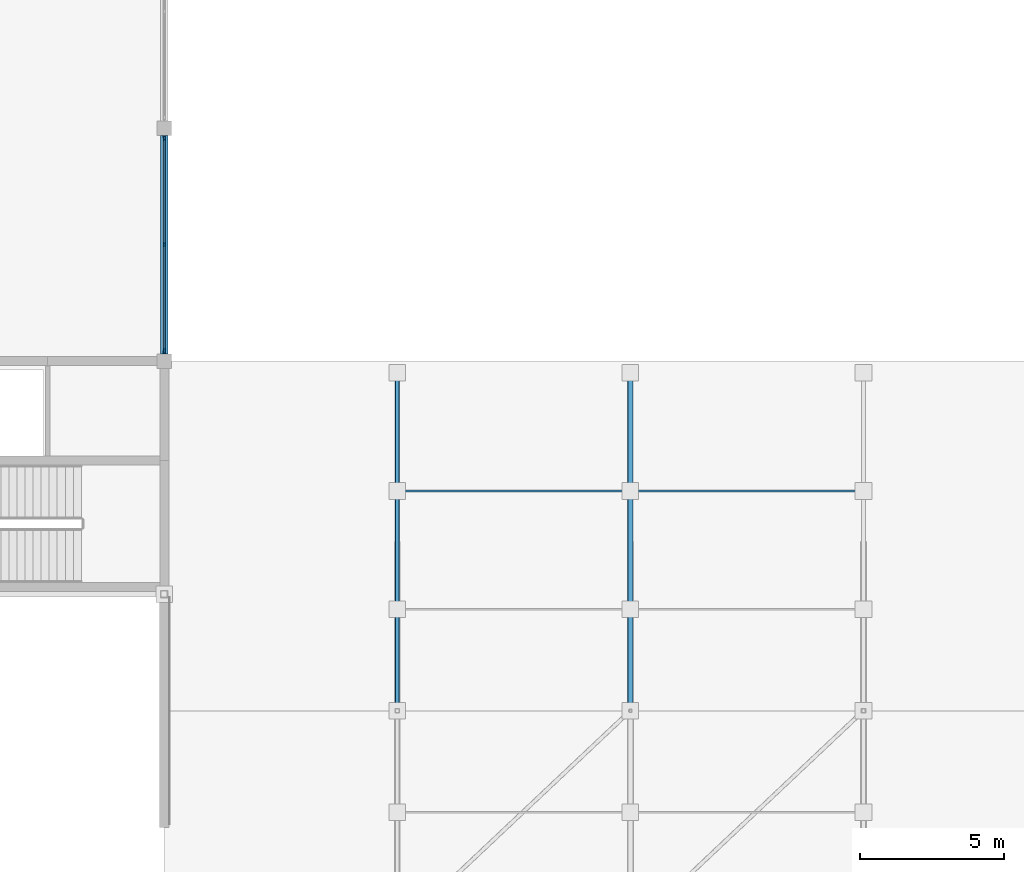
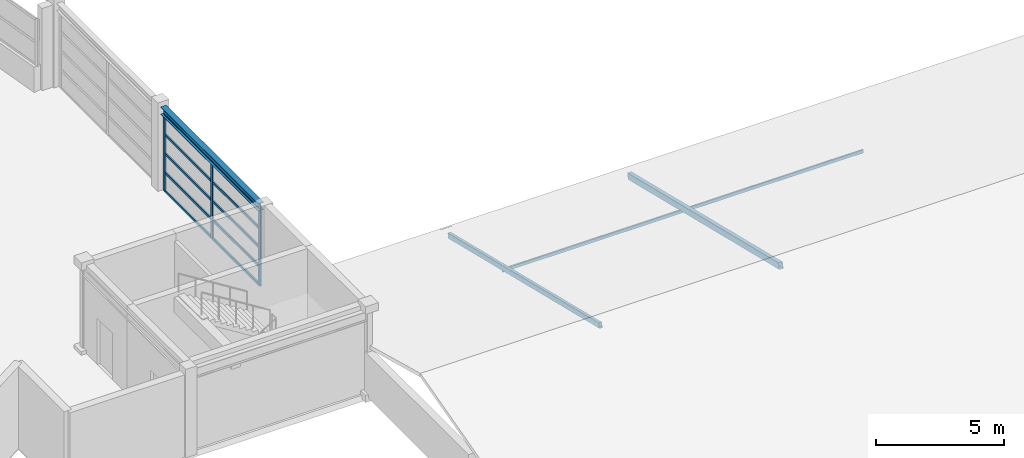
# One storey, part 18 of 54: 17 members, 1 beam, 1 element without a shape of its own.
"""IFC4 building model written with IfcOpenShell, lengths in metres."""

from ifc_helpers import new_model, si_unit, direction, frame, origin, origin_2d, place, context, subcontext, project, spatial, rectangle, hollow_rectangle, i_section, extrude, material, material_profile, profile_set, type_object, element, aggregate, save


model = new_model("IFC4")

# Units and contexts
model_context = context("Model", 3, precision=1e-05, world=origin(), true_north=direction((0.0, 1.0)))
body_context = subcontext(model_context, "Body", "Model", "MODEL_VIEW")
ifc_project = project(units=[si_unit("LENGTHUNIT", "METRE"), si_unit("AREAUNIT", "SQUARE_METRE"), si_unit("VOLUMEUNIT", "CUBIC_METRE"), si_unit("PLANEANGLEUNIT", "RADIAN"), si_unit("MASSUNIT", "GRAM", prefix="KILO")], contexts=[model_context])

# Site, building, storey
site_placement = place(None, origin())
site = spatial("IfcSite", under=ifc_project, at=site_placement, CompositionType="ELEMENT")
building_placement = place(site_placement, origin())
building = spatial("IfcBuilding", under=site, at=building_placement, Name="Parian Resonance Hall", CompositionType="ELEMENT")
storey_placement = place(building_placement, frame((0.0, 0.0, 15.0)))
storey = spatial("IfcBuildingStorey", under=building, at=storey_placement, Name="L03", CompositionType="ELEMENT", Elevation=15.0)

# Beam
ifc_material_1 = material(Name="Steel S355", Category="steel")
ifc_material_profile_1 = material_profile(ifc_material_1, i_section(OverallWidth=0.2548828125, OverallDepth=0.35693359375, WebThickness=0.010498046875, FlangeThickness=0.018310546875, FilletRadius=0.01513671875, at=origin_2d()), Name="W360x101")
ifc_profile_set_1 = profile_set([ifc_material_profile_1], Name="Steel S355")
beam_type = type_object("IfcBeamType", Name="BM-W360x101", PredefinedType="SPANDREL", material=ifc_profile_set_1)
beam_placement = place(storey_placement, frame((72.89990234375, 24.550048828125, 3.801513671875), z_axis=(0.0, 1.0, 0.0), x_axis=(-1.0, 0.0, 0.0)))
element("IfcBeam", 1, at=beam_placement, inside=storey, type_object=beam_type, Name="GY-L03-0877", PredefinedType="SPANDREL", context=body_context, shape_type="SweptSolid", body=[
    extrude(i_section(OverallWidth=0.2548828125, OverallDepth=0.35693359375, WebThickness=0.010498046875, FlangeThickness=0.018310546875, FilletRadius=0.01513671875, at=origin_2d()), origin(), (0.0, 0.0, 1.0), 7.599853515625),
])

# Curtain wall, members
ifc_material_2 = material(Name="Bronze-anodised aluminium frame", Category="aluminium")
curtain_wall_type = type_object("IfcCurtainWallType", Name="CW-SYS-04", PredefinedType="NOTDEFINED", material=ifc_material_2)
curtain_wall_placement = place(storey_placement, origin())
curtain_wall = element("IfcCurtainWall", 2, at=curtain_wall_placement, inside=storey, type_object=curtain_wall_type, Name="Curtain wall CW-L03-133", PredefinedType="NOTDEFINED")
ifc_material_3 = material(Name="Bronze-anodised aluminium frame", Category="aluminium")
ifc_material_profile_2 = material_profile(ifc_material_3, rectangle(XDim=0.06494140625, YDim=0.159912109375, at=origin_2d()), Name="CWM-65x160")
ifc_profile_set_2 = profile_set([ifc_material_profile_2], Name="Bronze-anodised aluminium frame")
member_type_1 = type_object("IfcMemberType", Name="CWM-65x160", PredefinedType="MULLION", material=ifc_profile_set_2)
member_1_placement = place(storey_placement, frame((72.89990234375, 32.03759765625, -0.008056640625), z_axis=(0.0, 0.0, 1.0), x_axis=(1.0, 0.0, 0.0)))
member_1 = element("IfcMember", 3, at=member_1_placement, type_object=member_type_1, Name="CW-04 mullion 1", PredefinedType="MULLION", context=body_context, shape_type="SweptSolid", body=[
    extrude(rectangle(XDim=0.06494140625, YDim=0.159912109375, at=origin_2d()), origin(), (0.0, 0.0, 1.0), 3.635009765625),
])
member_2_placement = place(storey_placement, frame((72.89990234375, 28.35009765625, -0.008056640625), z_axis=(0.0, 0.0, 1.0), x_axis=(1.0, 0.0, 0.0)))
member_2 = element("IfcMember", 4, at=member_2_placement, type_object=member_type_1, Name="CW-04 mullion 2", PredefinedType="MULLION", context=body_context, shape_type="SweptSolid", body=[
    extrude(rectangle(XDim=0.06494140625, YDim=0.159912109375, at=origin_2d()), origin(), (0.0, 0.0, 1.0), 3.635009765625),
])
member_3_placement = place(storey_placement, frame((72.89990234375, 24.66259765625, -0.008056640625), z_axis=(0.0, 0.0, 1.0), x_axis=(1.0, 0.0, 0.0)))
member_3 = element("IfcMember", 5, at=member_3_placement, type_object=member_type_1, Name="CW-04 mullion 3", PredefinedType="MULLION", context=body_context, shape_type="SweptSolid", body=[
    extrude(rectangle(XDim=0.06494140625, YDim=0.159912109375, at=origin_2d()), origin(), (0.0, 0.0, 1.0), 3.635009765625),
])
ifc_material_4 = material(Name="Bronze-anodised aluminium frame", Category="aluminium")
ifc_material_profile_3 = material_profile(ifc_material_4, rectangle(XDim=0.06494140625, YDim=0.1201171875, at=origin_2d()), Name="CWT-65x120")
ifc_profile_set_3 = profile_set([ifc_material_profile_3], Name="Bronze-anodised aluminium frame")
member_type_2 = type_object("IfcMemberType", Name="CWT-65x120", PredefinedType="USERDEFINED", material=ifc_profile_set_3)
member_4_placement = place(storey_placement, frame((72.89990234375, 32.0048828125, 0.0244140625), z_axis=(0.0, -1.0, 0.0), x_axis=(1.0, 0.0, 0.0)))
member_4 = element("IfcMember", 6, at=member_4_placement, type_object=member_type_2, Name="CW-04 transom 1.1", ObjectType="TRANSOM", PredefinedType="USERDEFINED", context=body_context, shape_type="SweptSolid", body=[
    extrude(rectangle(XDim=0.06494140625, YDim=0.1201171875, at=origin_2d()), origin(), (0.0, 0.0, 1.0), 3.622314453125),
])
member_5_placement = place(storey_placement, frame((72.89990234375, 32.0048828125, 0.904296875), z_axis=(0.0, -1.0, 0.0), x_axis=(1.0, 0.0, 0.0)))
member_5 = element("IfcMember", 7, at=member_5_placement, type_object=member_type_2, Name="CW-04 transom 1.2", ObjectType="TRANSOM", PredefinedType="USERDEFINED", context=body_context, shape_type="SweptSolid", body=[
    extrude(rectangle(XDim=0.06494140625, YDim=0.1201171875, at=origin_2d()), origin(), (0.0, 0.0, 1.0), 3.622314453125),
])
member_6_placement = place(storey_placement, frame((72.89990234375, 32.0048828125, 1.80859375), z_axis=(0.0, -1.0, 0.0), x_axis=(1.0, 0.0, 0.0)))
member_6 = element("IfcMember", 8, at=member_6_placement, type_object=member_type_2, Name="CW-04 transom 1.3", ObjectType="TRANSOM", PredefinedType="USERDEFINED", context=body_context, shape_type="SweptSolid", body=[
    extrude(rectangle(XDim=0.06494140625, YDim=0.1201171875, at=origin_2d()), origin(), (0.0, 0.0, 1.0), 3.622314453125),
])
member_7_placement = place(storey_placement, frame((72.89990234375, 32.0048828125, 2.712646484375), z_axis=(0.0, -1.0, 0.0), x_axis=(1.0, 0.0, 0.0)))
member_7 = element("IfcMember", 9, at=member_7_placement, type_object=member_type_2, Name="CW-04 transom 1.4", ObjectType="TRANSOM", PredefinedType="USERDEFINED", context=body_context, shape_type="SweptSolid", body=[
    extrude(rectangle(XDim=0.06494140625, YDim=0.1201171875, at=origin_2d()), origin(), (0.0, 0.0, 1.0), 3.622314453125),
])
member_8_placement = place(storey_placement, frame((72.89990234375, 32.0048828125, 3.594482421875), z_axis=(0.0, -1.0, 0.0), x_axis=(1.0, 0.0, 0.0)))
member_8 = element("IfcMember", 10, at=member_8_placement, type_object=member_type_2, Name="CW-04 transom 1.5", ObjectType="TRANSOM", PredefinedType="USERDEFINED", context=body_context, shape_type="SweptSolid", body=[
    extrude(rectangle(XDim=0.06494140625, YDim=0.1201171875, at=origin_2d()), origin(), (0.0, 0.0, 1.0), 3.622314453125),
])
member_9_placement = place(storey_placement, frame((72.89990234375, 28.3173828125, 0.0244140625), z_axis=(0.0, -1.0, 0.0), x_axis=(1.0, 0.0, 0.0)))
member_9 = element("IfcMember", 11, at=member_9_placement, type_object=member_type_2, Name="CW-04 transom 2.1", ObjectType="TRANSOM", PredefinedType="USERDEFINED", context=body_context, shape_type="SweptSolid", body=[
    extrude(rectangle(XDim=0.06494140625, YDim=0.1201171875, at=origin_2d()), origin(), (0.0, 0.0, 1.0), 3.622314453125),
])
member_10_placement = place(storey_placement, frame((72.89990234375, 28.3173828125, 0.904296875), z_axis=(0.0, -1.0, 0.0), x_axis=(1.0, 0.0, 0.0)))
member_10 = element("IfcMember", 12, at=member_10_placement, type_object=member_type_2, Name="CW-04 transom 2.2", ObjectType="TRANSOM", PredefinedType="USERDEFINED", context=body_context, shape_type="SweptSolid", body=[
    extrude(rectangle(XDim=0.06494140625, YDim=0.1201171875, at=origin_2d()), origin(), (0.0, 0.0, 1.0), 3.622314453125),
])
member_11_placement = place(storey_placement, frame((72.89990234375, 28.3173828125, 1.80859375), z_axis=(0.0, -1.0, 0.0), x_axis=(1.0, 0.0, 0.0)))
member_11 = element("IfcMember", 13, at=member_11_placement, type_object=member_type_2, Name="CW-04 transom 2.3", ObjectType="TRANSOM", PredefinedType="USERDEFINED", context=body_context, shape_type="SweptSolid", body=[
    extrude(rectangle(XDim=0.06494140625, YDim=0.1201171875, at=origin_2d()), origin(), (0.0, 0.0, 1.0), 3.622314453125),
])
member_12_placement = place(storey_placement, frame((72.89990234375, 28.3173828125, 2.712646484375), z_axis=(0.0, -1.0, 0.0), x_axis=(1.0, 0.0, 0.0)))
member_12 = element("IfcMember", 14, at=member_12_placement, type_object=member_type_2, Name="CW-04 transom 2.4", ObjectType="TRANSOM", PredefinedType="USERDEFINED", context=body_context, shape_type="SweptSolid", body=[
    extrude(rectangle(XDim=0.06494140625, YDim=0.1201171875, at=origin_2d()), origin(), (0.0, 0.0, 1.0), 3.622314453125),
])
member_13_placement = place(storey_placement, frame((72.89990234375, 28.3173828125, 3.594482421875), z_axis=(0.0, -1.0, 0.0), x_axis=(1.0, 0.0, 0.0)))
member_13 = element("IfcMember", 15, at=member_13_placement, type_object=member_type_2, Name="CW-04 transom 2.5", ObjectType="TRANSOM", PredefinedType="USERDEFINED", context=body_context, shape_type="SweptSolid", body=[
    extrude(rectangle(XDim=0.06494140625, YDim=0.1201171875, at=origin_2d()), origin(), (0.0, 0.0, 1.0), 3.622314453125),
])
aggregate(curtain_wall, [member_1, member_2, member_3, member_4, member_5, member_6, member_7, member_8, member_9, member_10, member_11, member_12, member_13])

# Members
ifc_material_5 = material(Name="Hollow structural steel S355", Category="steel")
ifc_material_profile_4 = material_profile(ifc_material_5, hollow_rectangle(XDim=0.080078125, YDim=0.159912109375, WallThickness=0.00634765625, InnerFilletRadius=0.00634765625, OuterFilletRadius=0.0126953125, at=origin_2d()), Name="RHS160x80x6.3")
ifc_profile_set_4 = profile_set([ifc_material_profile_4], Name="Hollow structural steel S355")
member_type_3 = type_object("IfcMemberType", Name="MEM-RHS160", PredefinedType="PURLIN", material=ifc_profile_set_4)
member_14_placement = place(storey_placement, frame((81.0, 19.78759765625, 0.827392578125), z_axis=(1.0, 0.0, 0.0), x_axis=(0.0, 1.0, 0.0)))
element("IfcMember", 16, at=member_14_placement, inside=storey, type_object=member_type_3, Name="Rehearsal roof purlin N1.1", PredefinedType="PURLIN", context=body_context, shape_type="SweptSolid", body=[
    extrude(hollow_rectangle(XDim=0.080078125, YDim=0.159912109375, WallThickness=0.00634765625, InnerFilletRadius=0.00634765625, OuterFilletRadius=0.0126953125, at=origin_2d()), origin(), (0.0, 0.0, 1.0), 8.10009765625),
])
member_15_placement = place(storey_placement, frame((89.10009765625, 19.78759765625, 0.827392578125), z_axis=(1.0, 0.0, 0.0), x_axis=(0.0, 1.0, 0.0)))
element("IfcMember", 17, at=member_15_placement, inside=storey, type_object=member_type_3, Name="Rehearsal roof purlin N1.2", PredefinedType="PURLIN", context=body_context, shape_type="SweptSolid", body=[
    extrude(hollow_rectangle(XDim=0.080078125, YDim=0.159912109375, WallThickness=0.00634765625, InnerFilletRadius=0.00634765625, OuterFilletRadius=0.0126953125, at=origin_2d()), origin(), (0.0, 0.0, 1.0), 8.099853515625),
])
ifc_material_6 = material(Name="Hollow structural steel S355", Category="steel")
ifc_material_profile_5 = material_profile(ifc_material_6, hollow_rectangle(XDim=0.14990234375, YDim=0.25, WallThickness=0.010009765625, InnerFilletRadius=0.010009765625, OuterFilletRadius=0.02001953125, at=origin_2d()), Name="RHS250x150x10")
ifc_profile_set_5 = profile_set([ifc_material_profile_5], Name="Hollow structural steel S355")
member_type_4 = type_object("IfcMemberType", Name="MEM-RHS250", PredefinedType="RAFTER", material=ifc_profile_set_5)
member_16_placement = place(storey_placement, frame((81.0, 23.89990234375, 0.0), z_axis=(0.0, -0.971819554994, 0.235726011573), x_axis=(1.0, 0.0, 0.0)))
element("IfcMember", 18, at=member_16_placement, inside=storey, type_object=member_type_4, Name="Rehearsal roof north rafter 1", PredefinedType="RAFTER", context=body_context, shape_type="SweptSolid", body=[
    extrude(hollow_rectangle(XDim=0.14990234375, YDim=0.25, WallThickness=0.010009765625, InnerFilletRadius=0.010009765625, OuterFilletRadius=0.02001953125, at=origin_2d()), origin(), (0.0, 0.0, 1.0), 12.0908203125),
])
ifc_material_7 = material(Name="Hollow structural steel S355", Category="steel")
ifc_material_profile_6 = material_profile(ifc_material_7, hollow_rectangle(XDim=0.199951171875, YDim=0.300048828125, WallThickness=0.012451171875, InnerFilletRadius=0.012451171875, OuterFilletRadius=0.02490234375, at=origin_2d()), Name="RHS300x200x12.5")
ifc_profile_set_6 = profile_set([ifc_material_profile_6], Name="Hollow structural steel S355")
member_type_5 = type_object("IfcMemberType", Name="MEM-RHS300", PredefinedType="RAFTER", material=ifc_profile_set_6)
member_17_placement = place(storey_placement, frame((89.10009765625, 23.89990234375, 0.0), z_axis=(0.0, -0.971819554994, 0.235726011573), x_axis=(1.0, 0.0, 0.0)))
element("IfcMember", 19, at=member_17_placement, inside=storey, type_object=member_type_5, Name="Rehearsal roof north rafter 2", PredefinedType="RAFTER", context=body_context, shape_type="SweptSolid", body=[
    extrude(hollow_rectangle(XDim=0.199951171875, YDim=0.300048828125, WallThickness=0.012451171875, InnerFilletRadius=0.012451171875, OuterFilletRadius=0.02490234375, at=origin_2d()), origin(), (0.0, 0.0, 1.0), 12.0908203125),
])

save(model, "model.ifc")
